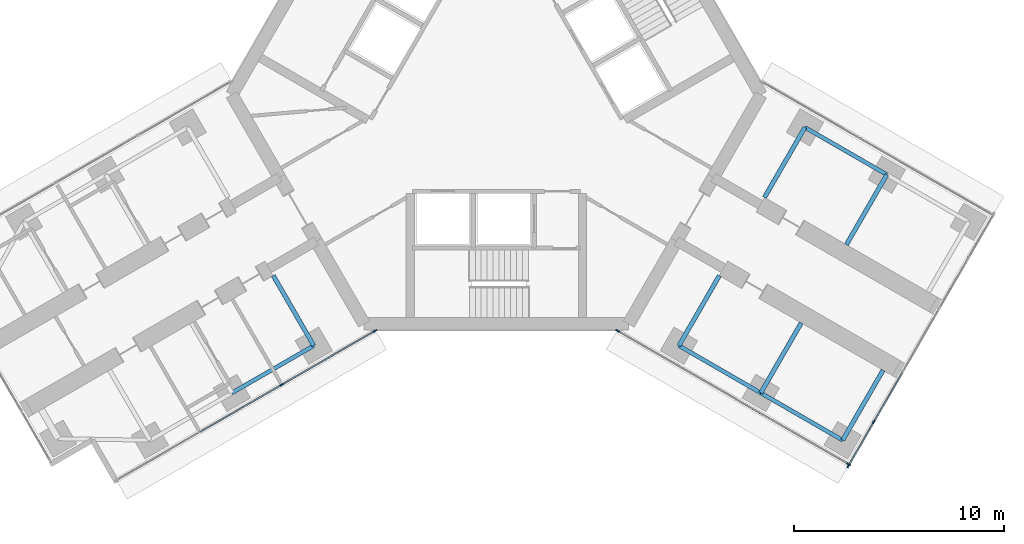
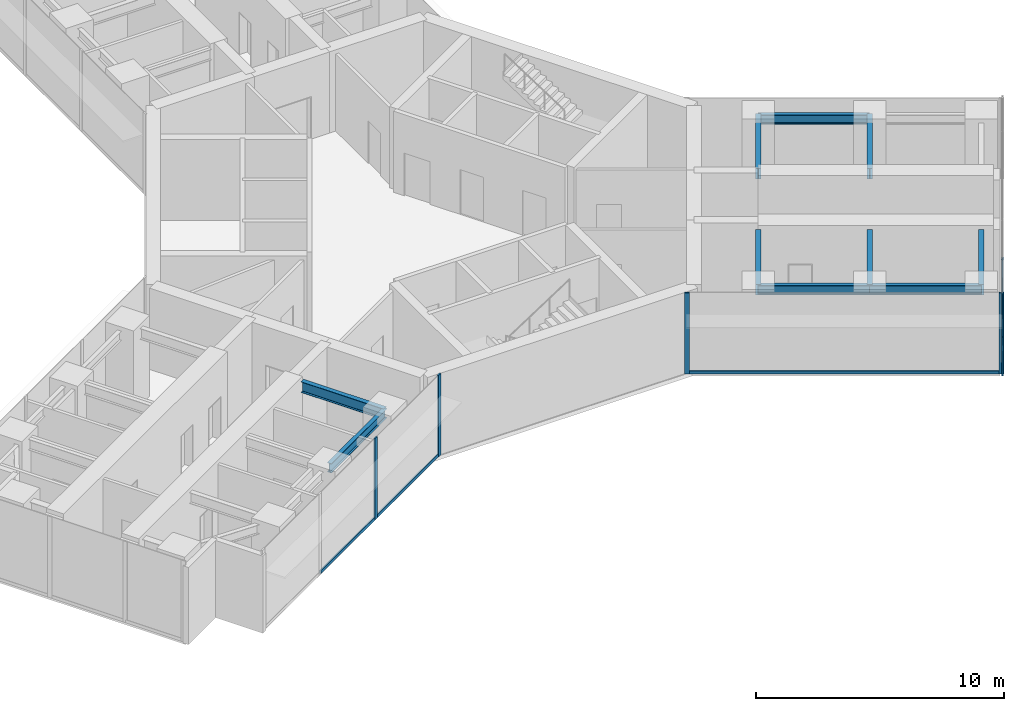
# One storey, part 8 of 22: 11 members, 10 beams, 3 elements without a shape of their own.
"""IFC4 building model written with IfcOpenShell, lengths in metres."""

from ifc_helpers import new_model, si_unit, direction, frame, origin, origin_2d, place, context, subcontext, project, spatial, rectangle, i_section, extrude, material, material_profile, profile_set, type_object, element, aggregate, save


model = new_model("IFC4")

# Units and contexts
model_context = context("Model", 3, precision=1e-05, world=origin(), true_north=direction((0.0, 1.0)))
body_context = subcontext(model_context, "Body", "Model", "MODEL_VIEW")
ifc_project = project(units=[si_unit("LENGTHUNIT", "METRE"), si_unit("AREAUNIT", "SQUARE_METRE"), si_unit("VOLUMEUNIT", "CUBIC_METRE"), si_unit("PLANEANGLEUNIT", "RADIAN"), si_unit("MASSUNIT", "GRAM", prefix="KILO")], contexts=[model_context])

# Site, building, storey
site_placement = place(None, origin())
site = spatial("IfcSite", under=ifc_project, at=site_placement, CompositionType="ELEMENT")
building_placement = place(site_placement, origin())
building = spatial("IfcBuilding", under=site, at=building_placement, Name="Upepo Twin Towers", CompositionType="ELEMENT")
storey_placement = place(building_placement, frame((0.0, 0.0, 133.5)))
storey = spatial("IfcBuildingStorey", under=building, at=storey_placement, Name="L32", CompositionType="ELEMENT", Elevation=133.5)

# Beams
ifc_material_1 = material(Name="Steel S355", Category="steel")
ifc_material_profile_1 = material_profile(ifc_material_1, i_section(OverallWidth=0.1904296875, OverallDepth=0.45703125, WebThickness=0.009033203125, FlangeThickness=0.014404296875, FilletRadius=0.01025390625, at=origin_2d()), Name="UB 457x191x74")
ifc_profile_set_1 = profile_set([ifc_material_profile_1], Name="Steel S355")
beam_type_1 = type_object("IfcBeamType", Name="Beam UB 457x191x74", PredefinedType="BEAM", material=ifc_profile_set_1)
for number, where, z_axis, x_axis, name in (
    (1, (49.80859375, -29.946044921875, 3.571533203125), (-0.866017533419, -0.500013631625, 0.0), (0.500013631625, -0.866017533419, 0.0), "T2 edge beam BL 13.5-18.0"),
    (2, (73.19140625, -19.553955078125, 3.571533203125), (0.866017533419, -0.500013631625, 0.0), (0.500013631625, 0.866017533419, 0.0), "T2 edge beam CL 13.5-18.0"),
    (3, (67.19140625, -29.946044921875, 3.571533203125), (0.866017533419, -0.500013631625, 0.0), (0.500013631625, 0.866017533419, 0.0), "T2 edge beam CR 13.5-18.0"),
):
    element("IfcBeam", number, at=place(storey_placement, frame(where, z_axis=z_axis, x_axis=x_axis)), inside=storey, type_object=beam_type_1, Name=name, PredefinedType="BEAM", context=body_context, shape_type="SweptSolid", body=[
        extrude(i_section(OverallWidth=0.1904296875, OverallDepth=0.45703125, WebThickness=0.009033203125, FlangeThickness=0.014404296875, FilletRadius=0.01025390625, at=origin_2d()), origin(), (0.0, 0.0, 1.0), 4.499755859375),
    ])
beam_1_placement = place(storey_placement, frame((71.08837890625, -32.196044921875, 3.571533203125), z_axis=(0.866031096941, -0.499990139034, 0.0), x_axis=(0.499990139034, 0.866031096941, 0.0)))
element("IfcBeam", 4, at=beam_1_placement, inside=storey, type_object=beam_type_1, Name="T2 edge beam CR 18.0-22.5", PredefinedType="BEAM", context=body_context, shape_type="SweptSolid", body=[
    extrude(i_section(OverallWidth=0.1904296875, OverallDepth=0.45703125, WebThickness=0.009033203125, FlangeThickness=0.014404296875, FilletRadius=0.01025390625, at=origin_2d()), origin(), (0.0, 0.0, 1.0), 4.5),
])
ifc_material_2 = material(Name="Steel S355", Category="steel")
ifc_material_profile_2 = material_profile(ifc_material_2, i_section(OverallWidth=0.209228515625, OverallDepth=0.533203125, WebThickness=0.010009765625, FlangeThickness=0.015625, FilletRadius=0.0126953125, at=origin_2d()), Name="UB 533x210x92")
ifc_profile_set_2 = profile_set([ifc_material_profile_2], Name="Steel S355")
beam_type_2 = type_object("IfcBeamType", Name="Beam UB 533x210x92", PredefinedType="BEAM", material=ifc_profile_set_2)
for number, where, z_axis, x_axis, name in (
    (5, (49.80859375, -29.946044921875, 3.533447265625), (-0.500033517596, 0.866006051527, 0.0), (-0.866006051527, -0.500033517596, 0.0), "T2 girder BL at 13.5"),
    (6, (73.19140625, -19.553955078125, 3.533447265625), (-0.500033517596, -0.866006051527, 0.0), (0.866006051527, -0.500033517596, 0.0), "T2 girder CL at 13.5"),
):
    element("IfcBeam", number, at=place(storey_placement, frame(where, z_axis=z_axis, x_axis=x_axis)), inside=storey, type_object=beam_type_2, Name=name, PredefinedType="BEAM", context=body_context, shape_type="SweptSolid", body=[
        extrude(i_section(OverallWidth=0.209228515625, OverallDepth=0.533203125, WebThickness=0.010009765625, FlangeThickness=0.015625, FilletRadius=0.0126953125, at=origin_2d()), origin(), (0.0, 0.0, 1.0), 3.849853515625),
    ])
beam_2_placement = place(storey_placement, frame((77.08837890625, -21.803955078125, 3.533447265625), z_axis=(-0.499985955615, -0.866033512162, 0.0), x_axis=(0.866033512162, -0.499985955615, 0.0)))
element("IfcBeam", 7, at=beam_2_placement, inside=storey, type_object=beam_type_2, Name="T2 girder CL at 18.0", PredefinedType="BEAM", context=body_context, shape_type="SweptSolid", body=[
    extrude(i_section(OverallWidth=0.209228515625, OverallDepth=0.533203125, WebThickness=0.010009765625, FlangeThickness=0.015625, FilletRadius=0.0126953125, at=origin_2d()), origin(), (0.0, 0.0, 1.0), 3.849609375),
])
for number, where, z_axis, x_axis, name in (
    (8, (67.19140625, -29.946044921875, 3.533447265625), (0.500033517596, 0.866006051527, 0.0), (-0.866006051527, 0.500033517596, 0.0), "T2 girder CR at 13.5"),
    (9, (71.08837890625, -32.196044921875, 3.533447265625), (0.500033517596, 0.866006051527, 0.0), (-0.866006051527, 0.500033517596, 0.0), "T2 girder CR at 18.0"),
    (10, (74.985595703125, -34.446044921875, 3.533447265625), (0.500033517596, 0.866006051527, 0.0), (-0.866006051527, 0.500033517596, 0.0), "T2 girder CR at 22.5"),
):
    element("IfcBeam", number, at=place(storey_placement, frame(where, z_axis=z_axis, x_axis=x_axis)), inside=storey, type_object=beam_type_2, Name=name, PredefinedType="BEAM", context=body_context, shape_type="SweptSolid", body=[
        extrude(i_section(OverallWidth=0.209228515625, OverallDepth=0.533203125, WebThickness=0.010009765625, FlangeThickness=0.015625, FilletRadius=0.0126953125, at=origin_2d()), origin(), (0.0, 0.0, 1.0), 3.849853515625),
    ])

# Curtain wall, members
ifc_material_3 = material(Name="Aluminium and fritted glass", Category="aluminium")
curtain_wall_type = type_object("IfcCurtainWallType", Name="Tower curtain wall TW2, fritted glass", PredefinedType="NOTDEFINED", material=ifc_material_3)
curtain_wall_1_placement = place(storey_placement, origin())
curtain_wall_1 = element("IfcCurtainWall", 11, at=curtain_wall_1_placement, inside=storey, type_object=curtain_wall_type, Name="T2 L32 wing B flank L curtain wall", PredefinedType="NOTDEFINED")
ifc_material_4 = material(Name="Aluminium mullion", Category="aluminium")
ifc_material_profile_3 = material_profile(ifc_material_4, rectangle(XDim=0.06494140625, YDim=0.199951171875, at=origin_2d()), Name="MULLION 65x200")
ifc_profile_set_3 = profile_set([ifc_material_profile_3], Name="Aluminium mullion")
member_type_1 = type_object("IfcMemberType", Name="Mullion 65x200 TW2", PredefinedType="MULLION", material=ifc_profile_set_3)
member_1_placement = place(storey_placement, frame((52.72802734375, -29.2421875, 0.0), z_axis=(0.0, 0.0, 1.0), x_axis=(0.500000010308, -0.866025397833, 0.0)))
member_1 = element("IfcMember", 12, at=member_1_placement, type_object=member_type_1, Name="T2 L32 wing B flank L curtain wall mullion 1", PredefinedType="MULLION", context=body_context, shape_type="SweptSolid", body=[
    extrude(rectangle(XDim=0.06494140625, YDim=0.199951171875, at=origin_2d()), origin(), (0.0, 0.0, 1.0), 4.0),
])
member_2_placement = place(storey_placement, frame((48.28515625, -31.807373046875, 0.0), z_axis=(0.0, 0.0, 1.0), x_axis=(0.500000010308, -0.866025397833, 0.0)))
member_2 = element("IfcMember", 13, at=member_2_placement, type_object=member_type_1, Name="T2 L32 wing B flank L curtain wall mullion 2", PredefinedType="MULLION", context=body_context, shape_type="SweptSolid", body=[
    extrude(rectangle(XDim=0.06494140625, YDim=0.199951171875, at=origin_2d()), origin(), (0.0, 0.0, 1.0), 4.0),
])

curtain_wall_2_placement = place(storey_placement, origin())
curtain_wall_2 = element("IfcCurtainWall", 14, at=curtain_wall_2_placement, inside=storey, type_object=curtain_wall_type, Name="T2 L32 wing C flank R curtain wall", PredefinedType="NOTDEFINED")
member_3_placement = place(storey_placement, frame((75.2685546875, -35.591064453125, 0.0), z_axis=(0.0, 0.0, 1.0), x_axis=(-0.50000000792, -0.866025399212, 0.0)))
member_3 = element("IfcMember", 15, at=member_3_placement, type_object=member_type_1, Name="T2 L32 wing C flank R curtain wall mullion 1", PredefinedType="MULLION", context=body_context, shape_type="SweptSolid", body=[
    extrude(rectangle(XDim=0.06494140625, YDim=0.199951171875, at=origin_2d()), origin(), (0.0, 0.0, 1.0), 4.0),
])
member_4_placement = place(storey_placement, frame((64.27197265625, -29.2421875, 0.0), z_axis=(0.0, 0.0, 1.0), x_axis=(-0.50000000792, -0.866025399212, 0.0)))
member_4 = element("IfcMember", 16, at=member_4_placement, type_object=member_type_1, Name="T2 L32 wing C flank R curtain wall mullion 2", PredefinedType="MULLION", context=body_context, shape_type="SweptSolid", body=[
    extrude(rectangle(XDim=0.06494140625, YDim=0.199951171875, at=origin_2d()), origin(), (0.0, 0.0, 1.0), 4.0),
])

curtain_wall_3_placement = place(storey_placement, origin())
curtain_wall_3 = element("IfcCurtainWall", 17, at=curtain_wall_3_placement, inside=storey, type_object=curtain_wall_type, Name="T2 L32 wing C nose curtain wall", PredefinedType="NOTDEFINED")
member_5_placement = place(storey_placement, frame((75.262939453125, -35.665771484375, 0.0), z_axis=(0.0, 0.0, 1.0), x_axis=(-0.866025419745, 0.499999972355, 0.0)))
member_5 = element("IfcMember", 18, at=member_5_placement, type_object=member_type_1, Name="T2 L32 wing C nose curtain wall mullion 1", PredefinedType="MULLION", context=body_context, shape_type="SweptSolid", body=[
    extrude(rectangle(XDim=0.06494140625, YDim=0.199951171875, at=origin_2d()), origin(), (0.0, 0.0, 1.0), 4.0),
])
member_6_placement = place(storey_placement, frame((76.4716796875, -33.572021484375, 0.0), z_axis=(0.0, 0.0, 1.0), x_axis=(-0.866025419745, 0.499999972355, 0.0)))
member_6 = element("IfcMember", 19, at=member_6_placement, type_object=member_type_1, Name="T2 L32 wing C nose curtain wall mullion 2", PredefinedType="MULLION", context=body_context, shape_type="SweptSolid", body=[
    extrude(rectangle(XDim=0.06494140625, YDim=0.199951171875, at=origin_2d()), origin(), (0.0, 0.0, 1.0), 4.0),
])

# Member
ifc_material_5 = material(Name="Aluminium transom", Category="aluminium")
ifc_material_profile_4 = material_profile(ifc_material_5, rectangle(XDim=0.06494140625, YDim=0.14990234375, at=origin_2d()), Name="TRANSOM 65x150")
ifc_profile_set_4 = profile_set([ifc_material_profile_4], Name="Aluminium transom")
member_type_2 = type_object("IfcMemberType", Name="Transom 65x150 TW2", PredefinedType="USERDEFINED", material=ifc_profile_set_4)
member_7_placement = place(storey_placement, frame((52.699951171875, -29.25830078125, 0.074951171875), z_axis=(-0.866021848223, -0.500006158363, 0.0), x_axis=(0.500006158363, -0.866021848223, 0.0)))
member_7 = element("IfcMember", 20, at=member_7_placement, type_object=member_type_2, Name="T2 L32 wing B flank L curtain wall transom 1", ObjectType="TRANSOM", PredefinedType="USERDEFINED", context=body_context, shape_type="SweptSolid", body=[
    extrude(rectangle(XDim=0.06494140625, YDim=0.14990234375, at=origin_2d()), origin(), (0.0, 0.0, 1.0), 5.0654296875),
])

member_8_placement = place(storey_placement, frame((48.2568359375, -31.823486328125, 0.074951171875), z_axis=(-0.866022410713, -0.500005184116, 0.0), x_axis=(0.500005184116, -0.866022410713, 0.0)))
member_8 = element("IfcMember", 21, at=member_8_placement, type_object=member_type_2, Name="T2 L32 wing B flank L curtain wall transom 2", ObjectType="TRANSOM", PredefinedType="USERDEFINED", context=body_context, shape_type="SweptSolid", body=[
    extrude(rectangle(XDim=0.06494140625, YDim=0.14990234375, at=origin_2d()), origin(), (0.0, 0.0, 1.0), 4.43505859375),
])

aggregate(curtain_wall_1, [member_1, member_2, member_7, member_8])

member_9_placement = place(storey_placement, frame((75.240478515625, -35.57470703125, 0.074951171875), z_axis=(-0.866027247007, 0.499996807431, 0.0), x_axis=(-0.499996807431, -0.866027247007, 0.0)))
member_9 = element("IfcMember", 22, at=member_9_placement, type_object=member_type_2, Name="T2 L32 wing C flank R curtain wall transom 1", ObjectType="TRANSOM", PredefinedType="USERDEFINED", context=body_context, shape_type="SweptSolid", body=[
    extrude(rectangle(XDim=0.06494140625, YDim=0.14990234375, at=origin_2d()), origin(), (0.0, 0.0, 1.0), 12.6328125),
])

aggregate(curtain_wall_2, [member_3, member_4, member_9])

member_10_placement = place(storey_placement, frame((75.279296875, -35.6376953125, 0.074951171875), z_axis=(0.499923095048, 0.866069800327, 0.0), x_axis=(-0.866069800327, 0.499923095048, 0.0)))
member_10 = element("IfcMember", 23, at=member_10_placement, type_object=member_type_2, Name="T2 L32 wing C nose curtain wall transom 1", ObjectType="TRANSOM", PredefinedType="USERDEFINED", context=body_context, shape_type="SweptSolid", body=[
    extrude(rectangle(XDim=0.06494140625, YDim=0.14990234375, at=origin_2d()), origin(), (0.0, 0.0, 1.0), 2.352294921875),
])

member_11_placement = place(storey_placement, frame((76.488037109375, -33.5439453125, 0.074951171875), z_axis=(0.49995335277, 0.8660523339, 0.0), x_axis=(-0.8660523339, 0.49995335277, 0.0)))
member_11 = element("IfcMember", 24, at=member_11_placement, type_object=member_type_2, Name="T2 L32 wing C nose curtain wall transom 2", ObjectType="TRANSOM", PredefinedType="USERDEFINED", context=body_context, shape_type="SweptSolid", body=[
    extrude(rectangle(XDim=0.06494140625, YDim=0.14990234375, at=origin_2d()), origin(), (0.0, 0.0, 1.0), 2.684814453125),
])

aggregate(curtain_wall_3, [member_5, member_6, member_10, member_11])

save(model, "model.ifc")
